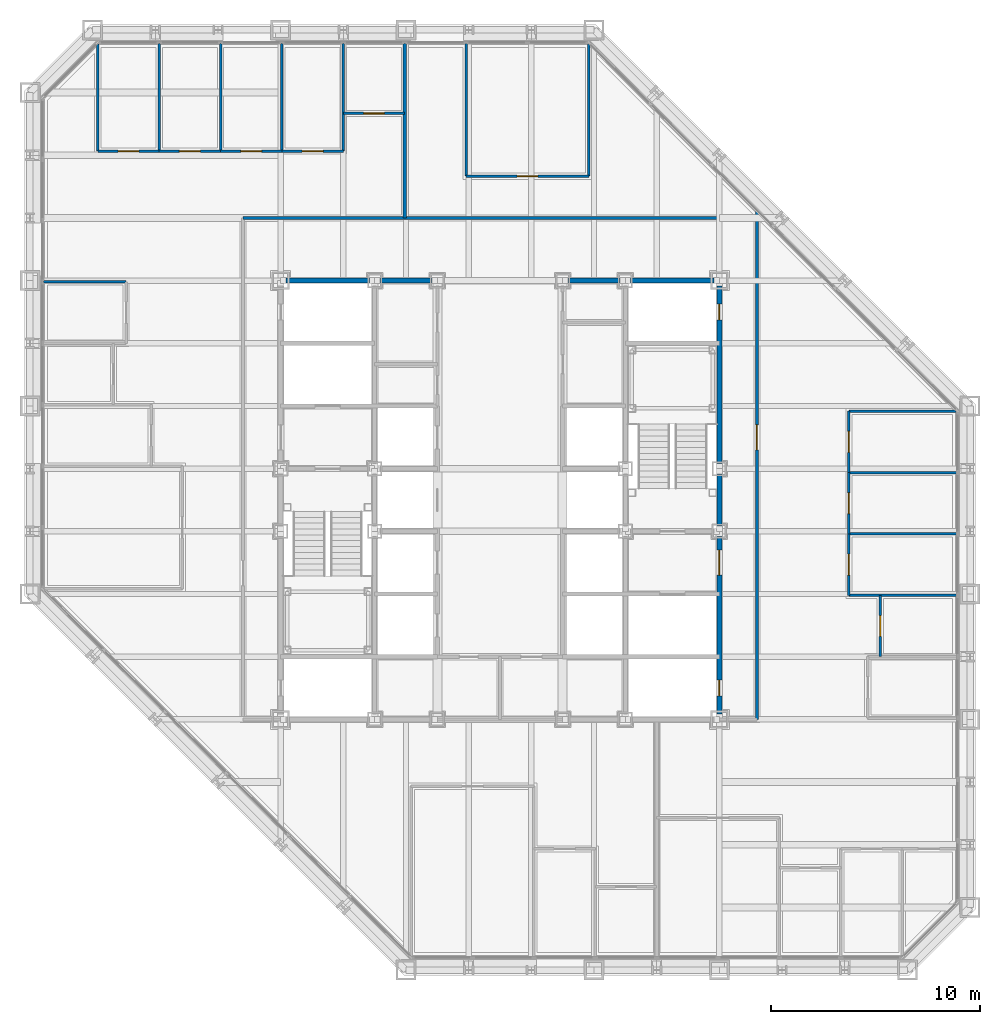
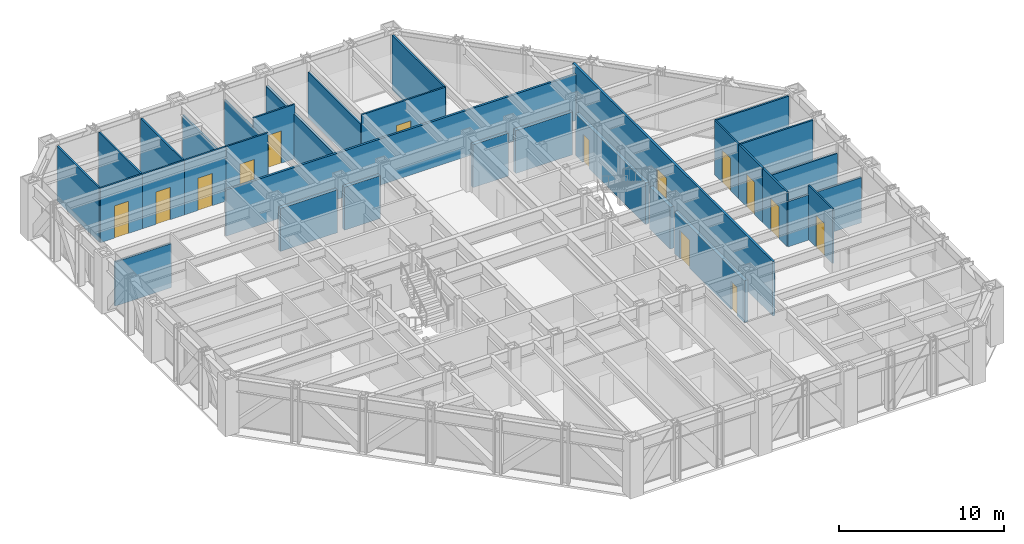
# One storey, part 12 of 16: 32 walls, 14 doors, 14 openings.
"""IFC4 building model written with IfcOpenShell, lengths in metres."""

from ifc_helpers import new_model, si_unit, direction, frame, frame_2d, origin, place, context, subcontext, project, spatial, rectangle, extrude, material, layer, layer_set, type_object, element, fill, save


model = new_model("IFC4")

# Units and contexts
model_context = context("Model", 3, precision=1e-05, world=origin(), true_north=direction((0.0, 1.0)))
body_context = subcontext(model_context, "Body", "Model", "MODEL_VIEW")
ifc_project = project(units=[si_unit("LENGTHUNIT", "METRE"), si_unit("AREAUNIT", "SQUARE_METRE"), si_unit("VOLUMEUNIT", "CUBIC_METRE"), si_unit("PLANEANGLEUNIT", "RADIAN"), si_unit("MASSUNIT", "GRAM", prefix="KILO")], contexts=[model_context])

# Site, building, storey
site_placement = place(None, origin())
site = spatial("IfcSite", under=ifc_project, at=site_placement, CompositionType="ELEMENT")
building_placement = place(site_placement, origin())
building = spatial("IfcBuilding", under=site, at=building_placement, Name="Chuquiago Exchange Tower", CompositionType="ELEMENT")
storey_placement = place(building_placement, frame((0.0, 0.0, 127.800048828125)))
storey = spatial("IfcBuildingStorey", under=building, at=storey_placement, Name="L27", CompositionType="ELEMENT", Elevation=127.800048828125)

# Walls
ifc_material_1 = material(Name="Concrete masonry, fully grouted", Category="masonry")
ifc_layer_1 = layer(ifc_material_1, 0.25)
ifc_layer_set_1 = layer_set([ifc_layer_1], Name="W1 core wall 250")
wall_type_1 = type_object("IfcWallType", Name="W1 core wall 250", PredefinedType="SOLIDWALL", material=ifc_layer_set_1)
wall_1_placement = place(storey_placement, frame((12.25, 33.0, 0.0), z_axis=(0.0, 0.0, 1.0), x_axis=(1.0, 0.0, 0.0)))
element("IfcWall", 1, at=wall_1_placement, inside=storey, type_object=wall_type_1, Name="CW-L27-11-0", PredefinedType="SOLIDWALL", context=body_context, shape_type="SweptSolid", body=[
    extrude(rectangle(XDim=4.0, YDim=0.25, at=frame_2d((2.0, 0.0))), origin(), (0.0, 0.0, 1.0), 3.181396484375),
])
for number, where, z_axis, x_axis, name in (
    (2, (16.75, 33.0, 0.0), (0.0, 0.0, 1.0), (1.0, 0.0, 0.0), "CW-L27-11-1"),
    (3, (25.75, 33.0, 0.0), (0.0, 0.0, 1.0), (1.0, 0.0, 0.0), "CW-L27-12-0"),
):
    element("IfcWall", number, at=place(storey_placement, frame(where, z_axis=z_axis, x_axis=x_axis)), inside=storey, type_object=wall_type_1, Name=name, PredefinedType="SOLIDWALL", context=body_context, shape_type="SweptSolid", body=[
        extrude(rectangle(XDim=2.5, YDim=0.25, at=frame_2d((1.25, 0.0))), origin(), (0.0, 0.0, 1.0), 3.181396484375),
    ])
wall_2_placement = place(storey_placement, frame((28.75, 33.0, 0.0), z_axis=(0.0, 0.0, 1.0), x_axis=(1.0, 0.0, 0.0)))
element("IfcWall", 4, at=wall_2_placement, inside=storey, type_object=wall_type_1, Name="CW-L27-12-1", PredefinedType="SOLIDWALL", context=body_context, shape_type="SweptSolid", body=[
    extrude(rectangle(XDim=4.0, YDim=0.25, at=frame_2d((2.0, 0.0))), origin(), (0.0, 0.0, 1.0), 3.181396484375),
])

# Wall, openings, doors
wall_3_placement = place(storey_placement, frame((33.0, 12.25, 0.0), z_axis=(0.0, 0.0, 1.0), x_axis=(0.0, 1.0, 0.0)))
wall_3 = element("IfcWall", 5, at=wall_3_placement, inside=storey, type_object=wall_type_1, Name="CW-L27-25-0", PredefinedType="SOLIDWALL", context=body_context, shape_type="SweptSolid", body=[
    extrude(rectangle(XDim=8.5, YDim=0.25, at=frame_2d((4.25, 0.0))), origin(), (0.0, 0.0, 1.0), 3.11279296875),
])
opening_1_placement = place(wall_3_placement, frame((6.64990234375, 0.0, 0.0)))
opening_1 = element("IfcOpeningElement", 6, at=opening_1_placement, cuts=wall_3, Name="Opening L27-004", PredefinedType="OPENING", context=body_context, shape_type="SweptSolid", body=[
    extrude(rectangle(XDim=1.199951171875, YDim=2.10009765625, at=frame_2d((0.60009765625, 1.050048828125))), frame((0.0, 0.135009765625, 0.0), z_axis=(0.0, -1.0, 0.0), x_axis=(1.0, 0.0, 0.0)), (0.0, 0.0, 1.0), 0.27001953125),
])
opening_2_placement = place(wall_3_placement, frame((0.875, 0.0, 0.0)))
opening_2 = element("IfcOpeningElement", 7, at=opening_2_placement, cuts=wall_3, Name="Opening L27-009", PredefinedType="OPENING", context=body_context, shape_type="SweptSolid", body=[
    extrude(rectangle(XDim=0.75, YDim=2.10009765625, at=frame_2d((0.375, 1.050048828125))), frame((0.0, 0.135009765625, 0.0), z_axis=(0.0, -1.0, 0.0), x_axis=(1.0, 0.0, 0.0)), (0.0, 0.0, 1.0), 0.27001953125),
])
ifc_material_2 = material(Name="Steel door, painted", Category="steel")
door_type_1 = type_object("IfcDoorType", Name="D5 firefighting lobby door 1200x2100", OperationType="SINGLE_SWING_LEFT", PredefinedType="DOOR", material=ifc_material_2)
door_1_placement = place(opening_1_placement, origin())
door_1 = element("IfcDoor", 8, at=door_1_placement, inside=storey, type_object=door_type_1, Name="Firefighting lobby 2 door", OperationType="SINGLE_SWING_RIGHT", OverallHeight=2.10009765625, OverallWidth=1.199951171875, PredefinedType="DOOR", context=body_context, shape_type="SweptSolid", body=[
    extrude(rectangle(XDim=1.199951171875, YDim=2.10009765625, at=frame_2d((0.60009765625, 1.050048828125))), frame((0.0, 0.02490234375, 0.0), z_axis=(0.0, -1.0, 0.0), x_axis=(1.0, 0.0, 0.0)), (0.0, 0.0, 1.0), 0.050048828125),
])
fill(opening_1, door_1)
ifc_material_3 = material(Name="Steel door, painted", Category="steel")
door_type_2 = type_object("IfcDoorType", Name="D6 riser access door 750x2100", OperationType="SINGLE_SWING_LEFT", PredefinedType="DOOR", material=ifc_material_3)
door_2_placement = place(opening_2_placement, origin())
door_2 = element("IfcDoor", 9, at=door_2_placement, inside=storey, type_object=door_type_2, Name="Riser RE1 door", OperationType="SINGLE_SWING_LEFT", OverallHeight=2.10009765625, OverallWidth=0.75, PredefinedType="DOOR", context=body_context, shape_type="SweptSolid", body=[
    extrude(rectangle(XDim=0.75, YDim=2.10009765625, at=frame_2d((0.375, 1.050048828125))), frame((0.0, 0.02490234375, 0.0), z_axis=(0.0, -1.0, 0.0), x_axis=(1.0, 0.0, 0.0)), (0.0, 0.0, 1.0), 0.050048828125),
])
fill(opening_2, door_2)

# Wall
wall_4_placement = place(storey_placement, frame((33.0, 21.25, 0.0), z_axis=(0.0, 0.0, 1.0), x_axis=(0.0, 1.0, 0.0)))
element("IfcWall", 10, at=wall_4_placement, inside=storey, type_object=wall_type_1, Name="CW-L27-25-1", PredefinedType="SOLIDWALL", context=body_context, shape_type="SweptSolid", body=[
    extrude(rectangle(XDim=2.5, YDim=0.25, at=frame_2d((1.25, 0.0))), origin(), (0.0, 0.0, 1.0), 3.11279296875),
])

# Wall, opening, door
wall_5_placement = place(storey_placement, frame((33.0, 24.25, 0.0), z_axis=(0.0, 0.0, 1.0), x_axis=(0.0, 1.0, 0.0)))
wall_5 = element("IfcWall", 11, at=wall_5_placement, inside=storey, type_object=wall_type_1, Name="CW-L27-25-2", PredefinedType="SOLIDWALL", context=body_context, shape_type="SweptSolid", body=[
    extrude(rectangle(XDim=8.5, YDim=0.25, at=frame_2d((4.25, 0.0))), origin(), (0.0, 0.0, 1.0), 3.11279296875),
])
opening_3_placement = place(wall_5_placement, frame((6.875, 0.0, 0.0)))
opening_3 = element("IfcOpeningElement", 12, at=opening_3_placement, cuts=wall_5, Name="Opening L27-010", PredefinedType="OPENING", context=body_context, shape_type="SweptSolid", body=[
    extrude(rectangle(XDim=0.75, YDim=2.10009765625, at=frame_2d((0.375, 1.050048828125))), frame((0.0, 0.135009765625, 0.0), z_axis=(0.0, -1.0, 0.0), x_axis=(1.0, 0.0, 0.0)), (0.0, 0.0, 1.0), 0.27001953125),
])
door_3_placement = place(opening_3_placement, origin())
door_3 = element("IfcDoor", 13, at=door_3_placement, inside=storey, type_object=door_type_2, Name="Riser RE2 door", OperationType="SINGLE_SWING_RIGHT", OverallHeight=2.10009765625, OverallWidth=0.75, PredefinedType="DOOR", context=body_context, shape_type="SweptSolid", body=[
    extrude(rectangle(XDim=0.75, YDim=2.10009765625, at=frame_2d((0.375, 1.050048828125))), frame((0.0, 0.02490234375, 0.0), z_axis=(0.0, -1.0, 0.0), x_axis=(1.0, 0.0, 0.0)), (0.0, 0.0, 1.0), 0.050048828125),
])
fill(opening_3, door_3)

# Wall
ifc_material_4 = material(Name="Gypsum board on steel studs, acoustic insulation", Category="steel")
ifc_layer_2 = layer(ifc_material_4, 0.14990234375)
ifc_layer_set_2 = layer_set([ifc_layer_2], Name="W11 corridor wall 150")
wall_type_2 = type_object("IfcWallType", Name="W11 corridor wall 150", PredefinedType="PARTITIONING", material=ifc_layer_set_2)
wall_6_placement = place(storey_placement, frame((10.199951171875, 36.0, 0.0), z_axis=(0.0, 0.0, 1.0), x_axis=(1.0, 0.0, 0.0)))
element("IfcWall", 14, at=wall_6_placement, inside=storey, type_object=wall_type_2, Name="PW-L27-CN", PredefinedType="PARTITIONING", context=body_context, shape_type="SweptSolid", body=[
    extrude(rectangle(XDim=24.91455078125, YDim=0.14990234375, at=frame_2d((12.457275390625, 0.0))), origin(), (0.0, 0.0, 1.0), 3.427734375),
])

# Wall, opening, door
wall_7_placement = place(storey_placement, frame((34.800048828125, 12.0, 0.0), z_axis=(0.0, 0.0, 1.0), x_axis=(0.0, 1.0, 0.0)))
wall_7 = element("IfcWall", 15, at=wall_7_placement, inside=storey, type_object=wall_type_2, Name="PW-L27-CE", PredefinedType="PARTITIONING", context=body_context, shape_type="SweptSolid", body=[
    extrude(rectangle(XDim=24.314453125, YDim=0.14990234375, at=frame_2d((12.1572265625, 0.0))), origin(), (0.0, 0.0, 1.0), 4.0400390625),
])
opening_4_placement = place(wall_7_placement, frame((12.89990234375, 0.0, 0.0)))
opening_4 = element("IfcOpeningElement", 16, at=opening_4_placement, cuts=wall_7, Name="Opening L27-044", PredefinedType="OPENING", context=body_context, shape_type="SweptSolid", body=[
    extrude(rectangle(XDim=1.199951171875, YDim=2.39990234375, at=frame_2d((0.60009765625, 1.199951171875))), frame((0.0, 0.0849609375, 0.0), z_axis=(0.0, -1.0, 0.0), x_axis=(1.0, 0.0, 0.0)), (0.0, 0.0, 1.0), 0.169921875),
])
ifc_material_5 = material(Name="Timber door, laminate faced", Category="wood")
door_type_3 = type_object("IfcDoorType", Name="D13 suite entrance door 1200x2400", OperationType="SINGLE_SWING_LEFT", PredefinedType="DOOR", material=ifc_material_5)
door_4_placement = place(opening_4_placement, frame((1.199951171875, 0.0, 0.0), z_axis=(0.0, 0.0, 1.0), x_axis=(-1.0, 0.0, 0.0)))
door_4 = element("IfcDoor", 17, at=door_4_placement, inside=storey, type_object=door_type_3, Name="East suite entrance door", OperationType="SINGLE_SWING_LEFT", OverallHeight=2.39990234375, OverallWidth=1.199951171875, PredefinedType="DOOR", context=body_context, shape_type="SweptSolid", body=[
    extrude(rectangle(XDim=1.199951171875, YDim=2.39990234375, at=frame_2d((0.60009765625, 1.199951171875))), frame((0.0, 0.02490234375, 0.0), z_axis=(0.0, -1.0, 0.0), x_axis=(1.0, 0.0, 0.0)), (0.0, 0.0, 1.0), 0.050048828125),
])
fill(opening_4, door_4)

# Walls
ifc_material_6 = material(Name="Gypsum board on twin steel studs, acoustic insulation", Category="steel")
ifc_layer_3 = layer(ifc_material_6, 0.175048828125)
ifc_layer_set_3 = layer_set([ifc_layer_3], Name="W12 tenant demising wall 175")
wall_type_3 = type_object("IfcWallType", Name="W12 tenant demising wall 175", PredefinedType="PARTITIONING", material=ifc_layer_set_3)
wall_8_placement = place(storey_placement, frame((17.93798828125, 44.347412109375, 0.0), z_axis=(0.0, 0.0, 1.0), x_axis=(0.0, -1.0, 0.0)))
element("IfcWall", 18, at=wall_8_placement, inside=storey, type_object=wall_type_3, Name="PW-L27-DN01794", PredefinedType="PARTITIONING", context=body_context, shape_type="SweptSolid", body=[
    extrude(rectangle(XDim=8.347412109375, YDim=0.175048828125, at=frame_2d((4.173828125, 0.0))), origin(), (0.0, 0.0, 1.0), 3.356689453125),
])
ifc_material_7 = material(Name="Gypsum board on steel studs", Category="steel")
ifc_layer_4 = layer(ifc_material_7, 0.1201171875)
ifc_layer_set_4 = layer_set([ifc_layer_4], Name="W4 partition 120")
wall_type_4 = type_object("IfcWallType", Name="W4 partition 120", PredefinedType="PARTITIONING", material=ifc_layer_set_4)
for number, where, z_axis, x_axis, name in (
    (19, (44.347412109375, 17.93798828125, 0.0), (0.0, 0.0, 1.0), (-1.0, 0.0, 0.0), "PW-L27-E01794"),
    (20, (44.347412109375, 20.875732421875, 0.0), (0.0, 0.0, 1.0), (-1.0, 0.0, 0.0), "PW-L27-E02088"),
):
    element("IfcWall", number, at=place(storey_placement, frame(where, z_axis=z_axis, x_axis=x_axis)), inside=storey, type_object=wall_type_4, Name=name, PredefinedType="PARTITIONING", context=body_context, shape_type="SweptSolid", body=[
        extrude(rectangle(XDim=5.1474609375, YDim=0.1201171875, at=frame_2d((2.57373046875, 0.0))), origin(), (0.0, 0.0, 1.0), 3.356689453125),
    ])
wall_9_placement = place(storey_placement, frame((44.347412109375, 23.813720703125, 0.0), z_axis=(0.0, 0.0, 1.0), x_axis=(-1.0, 0.0, 0.0)))
element("IfcWall", 21, at=wall_9_placement, inside=storey, type_object=wall_type_4, Name="PW-L27-E02381", PredefinedType="PARTITIONING", context=body_context, shape_type="SweptSolid", body=[
    extrude(rectangle(XDim=5.1474609375, YDim=0.1201171875, at=frame_2d((2.57373046875, 0.0))), origin(), (0.0, 0.0, 1.0), 4.0400390625),
])
wall_10_placement = place(storey_placement, frame((44.333984375, 26.75146484375, 0.0), z_axis=(0.0, 0.0, 1.0), x_axis=(-1.0, 0.0, 0.0)))
element("IfcWall", 22, at=wall_10_placement, inside=storey, type_object=wall_type_4, Name="PW-L27-E02675", PredefinedType="PARTITIONING", context=body_context, shape_type="SweptSolid", body=[
    extrude(rectangle(XDim=5.134033203125, YDim=0.1201171875, at=frame_2d((2.56689453125, 0.0))), origin(), (0.0, 0.0, 1.0), 4.0400390625),
])

# Wall, opening, door
wall_11_placement = place(storey_placement, frame((40.699951171875, 15.0, 0.0), z_axis=(0.0, 0.0, 1.0), x_axis=(0.0, 1.0, 0.0)))
wall_11 = element("IfcWall", 23, at=wall_11_placement, inside=storey, type_object=wall_type_4, Name="PW-L27-EF01500", PredefinedType="PARTITIONING", context=body_context, shape_type="SweptSolid", body=[
    extrude(rectangle(XDim=2.93798828125, YDim=0.1201171875, at=frame_2d((1.468994140625, 0.0))), origin(), (0.0, 0.0, 1.0), 4.0400390625),
])
opening_5_placement = place(wall_11_placement, frame((0.968994140625, 0.0, 0.0)))
opening_5 = element("IfcOpeningElement", 24, at=opening_5_placement, cuts=wall_11, Name="Opening L27-029", PredefinedType="OPENING", context=body_context, shape_type="SweptSolid", body=[
    extrude(rectangle(XDim=1.0, YDim=2.39990234375, at=frame_2d((0.5, 1.199951171875))), frame((0.0, 0.070068359375, 0.0), z_axis=(0.0, -1.0, 0.0), x_axis=(1.0, 0.0, 0.0)), (0.0, 0.0, 1.0), 0.14013671875),
])
ifc_material_8 = material(Name="Timber door, laminate faced", Category="wood")
door_type_4 = type_object("IfcDoorType", Name="D9 room door 1000x2400", OperationType="SINGLE_SWING_LEFT", PredefinedType="DOOR", material=ifc_material_8)
door_5_placement = place(opening_5_placement, frame((1.0, 0.0, 0.0), z_axis=(0.0, 0.0, 1.0), x_axis=(-1.0, 0.0, 0.0)))
door_5 = element("IfcDoor", 25, at=door_5_placement, inside=storey, type_object=door_type_4, Name="Store door", OperationType="SINGLE_SWING_RIGHT", OverallHeight=2.39990234375, OverallWidth=1.0, PredefinedType="DOOR", context=body_context, shape_type="SweptSolid", body=[
    extrude(rectangle(XDim=1.0, YDim=2.39990234375, at=frame_2d((0.5, 1.199951171875))), frame((0.0, 0.02490234375, 0.0), z_axis=(0.0, -1.0, 0.0), x_axis=(1.0, 0.0, 0.0)), (0.0, 0.0, 1.0), 0.050048828125),
])
fill(opening_5, door_5)

wall_12_placement = place(storey_placement, frame((39.199951171875, 17.93798828125, 0.0), z_axis=(0.0, 0.0, 1.0), x_axis=(0.0, 1.0, 0.0)))
wall_12 = element("IfcWall", 26, at=wall_12_placement, inside=storey, type_object=wall_type_4, Name="PW-L27-EF01794", PredefinedType="PARTITIONING", context=body_context, shape_type="SweptSolid", body=[
    extrude(rectangle(XDim=2.937744140625, YDim=0.1201171875, at=frame_2d((1.46875, 0.0))), origin(), (0.0, 0.0, 1.0), 4.0400390625),
])
opening_6_placement = place(wall_12_placement, frame((0.968994140625, 0.0, 0.0)))
opening_6 = element("IfcOpeningElement", 27, at=opening_6_placement, cuts=wall_12, Name="Opening L27-030", PredefinedType="OPENING", context=body_context, shape_type="SweptSolid", body=[
    extrude(rectangle(XDim=1.0, YDim=2.39990234375, at=frame_2d((0.5, 1.199951171875))), frame((0.0, 0.070068359375, 0.0), z_axis=(0.0, -1.0, 0.0), x_axis=(1.0, 0.0, 0.0)), (0.0, 0.0, 1.0), 0.14013671875),
])
door_6_placement = place(opening_6_placement, frame((1.0, 0.0, 0.0), z_axis=(0.0, 0.0, 1.0), x_axis=(-1.0, 0.0, 0.0)))
door_6 = element("IfcDoor", 28, at=door_6_placement, inside=storey, type_object=door_type_4, Name="Office door", OperationType="SINGLE_SWING_LEFT", OverallHeight=2.39990234375, OverallWidth=1.0, PredefinedType="DOOR", context=body_context, shape_type="SweptSolid", body=[
    extrude(rectangle(XDim=1.0, YDim=2.39990234375, at=frame_2d((0.5, 1.199951171875))), frame((0.0, 0.02490234375, 0.0), z_axis=(0.0, -1.0, 0.0), x_axis=(1.0, 0.0, 0.0)), (0.0, 0.0, 1.0), 0.050048828125),
])
fill(opening_6, door_6)

wall_13_placement = place(storey_placement, frame((39.199951171875, 20.875732421875, 0.0), z_axis=(0.0, 0.0, 1.0), x_axis=(0.0, 1.0, 0.0)))
wall_13 = element("IfcWall", 29, at=wall_13_placement, inside=storey, type_object=wall_type_4, Name="PW-L27-EF02088", PredefinedType="PARTITIONING", context=body_context, shape_type="SweptSolid", body=[
    extrude(rectangle(XDim=2.93798828125, YDim=0.1201171875, at=frame_2d((1.468994140625, 0.0))), origin(), (0.0, 0.0, 1.0), 4.0400390625),
])
opening_7_placement = place(wall_13_placement, frame((0.968994140625, 0.0, 0.0)))
opening_7 = element("IfcOpeningElement", 30, at=opening_7_placement, cuts=wall_13, Name="Opening L27-031", PredefinedType="OPENING", context=body_context, shape_type="SweptSolid", body=[
    extrude(rectangle(XDim=1.0, YDim=2.39990234375, at=frame_2d((0.5, 1.199951171875))), frame((0.0, 0.070068359375, 0.0), z_axis=(0.0, -1.0, 0.0), x_axis=(1.0, 0.0, 0.0)), (0.0, 0.0, 1.0), 0.14013671875),
])
door_7_placement = place(opening_7_placement, frame((1.0, 0.0, 0.0), z_axis=(0.0, 0.0, 1.0), x_axis=(-1.0, 0.0, 0.0)))
door_7 = element("IfcDoor", 31, at=door_7_placement, inside=storey, type_object=door_type_4, Name="Office door", OperationType="SINGLE_SWING_LEFT", OverallHeight=2.39990234375, OverallWidth=1.0, PredefinedType="DOOR", context=body_context, shape_type="SweptSolid", body=[
    extrude(rectangle(XDim=1.0, YDim=2.39990234375, at=frame_2d((0.5, 1.199951171875))), frame((0.0, 0.02490234375, 0.0), z_axis=(0.0, -1.0, 0.0), x_axis=(1.0, 0.0, 0.0)), (0.0, 0.0, 1.0), 0.050048828125),
])
fill(opening_7, door_7)

wall_14_placement = place(storey_placement, frame((39.199951171875, 23.813720703125, 0.0), z_axis=(0.0, 0.0, 1.0), x_axis=(0.0, 1.0, 0.0)))
wall_14 = element("IfcWall", 32, at=wall_14_placement, inside=storey, type_object=wall_type_4, Name="PW-L27-EF02381", PredefinedType="PARTITIONING", context=body_context, shape_type="SweptSolid", body=[
    extrude(rectangle(XDim=2.937744140625, YDim=0.1201171875, at=frame_2d((1.46875, 0.0))), origin(), (0.0, 0.0, 1.0), 4.0400390625),
])
opening_8_placement = place(wall_14_placement, frame((0.968994140625, 0.0, 0.0)))
opening_8 = element("IfcOpeningElement", 33, at=opening_8_placement, cuts=wall_14, Name="Opening L27-032", PredefinedType="OPENING", context=body_context, shape_type="SweptSolid", body=[
    extrude(rectangle(XDim=1.0, YDim=2.39990234375, at=frame_2d((0.5, 1.199951171875))), frame((0.0, 0.070068359375, 0.0), z_axis=(0.0, -1.0, 0.0), x_axis=(1.0, 0.0, 0.0)), (0.0, 0.0, 1.0), 0.14013671875),
])
door_8_placement = place(opening_8_placement, frame((1.0, 0.0, 0.0), z_axis=(0.0, 0.0, 1.0), x_axis=(-1.0, 0.0, 0.0)))
door_8 = element("IfcDoor", 34, at=door_8_placement, inside=storey, type_object=door_type_4, Name="Office door", OperationType="SINGLE_SWING_RIGHT", OverallHeight=2.39990234375, OverallWidth=1.0, PredefinedType="DOOR", context=body_context, shape_type="SweptSolid", body=[
    extrude(rectangle(XDim=1.0, YDim=2.39990234375, at=frame_2d((0.5, 1.199951171875))), frame((0.0, 0.02490234375, 0.0), z_axis=(0.0, -1.0, 0.0), x_axis=(1.0, 0.0, 0.0)), (0.0, 0.0, 1.0), 0.050048828125),
])
fill(opening_8, door_8)

# Walls
wall_15_placement = place(storey_placement, frame((3.24853515625, 44.333984375, 0.0), z_axis=(0.0, 0.0, 1.0), x_axis=(0.0, -1.0, 0.0)))
element("IfcWall", 35, at=wall_15_placement, inside=storey, type_object=wall_type_4, Name="PW-L27-N00325", PredefinedType="PARTITIONING", context=body_context, shape_type="SweptSolid", body=[
    extrude(rectangle(XDim=5.134033203125, YDim=0.1201171875, at=frame_2d((2.56689453125, 0.0))), origin(), (0.0, 0.0, 1.0), 4.0400390625),
])
for number, where, z_axis, x_axis, name in (
    (36, (6.186279296875, 44.347412109375, 0.0), (0.0, 0.0, 1.0), (0.0, -1.0, 0.0), "PW-L27-N00619"),
    (37, (9.124267578125, 44.347412109375, 0.0), (0.0, 0.0, 1.0), (0.0, -1.0, 0.0), "PW-L27-N00912"),
):
    element("IfcWall", number, at=place(storey_placement, frame(where, z_axis=z_axis, x_axis=x_axis)), inside=storey, type_object=wall_type_4, Name=name, PredefinedType="PARTITIONING", context=body_context, shape_type="SweptSolid", body=[
        extrude(rectangle(XDim=5.1474609375, YDim=0.1201171875, at=frame_2d((2.57373046875, 0.0))), origin(), (0.0, 0.0, 1.0), 4.0400390625),
    ])
wall_16_placement = place(storey_placement, frame((12.06201171875, 44.347412109375, 0.0), z_axis=(0.0, 0.0, 1.0), x_axis=(0.0, -1.0, 0.0)))
element("IfcWall", 38, at=wall_16_placement, inside=storey, type_object=wall_type_4, Name="PW-L27-N01206", PredefinedType="PARTITIONING", context=body_context, shape_type="SweptSolid", body=[
    extrude(rectangle(XDim=5.1474609375, YDim=0.1201171875, at=frame_2d((2.57373046875, 0.0))), origin(), (0.0, 0.0, 1.0), 3.270263671875),
])
wall_17_placement = place(storey_placement, frame((15.0, 44.347412109375, 0.0), z_axis=(0.0, 0.0, 1.0), x_axis=(0.0, -1.0, 0.0)))
element("IfcWall", 39, at=wall_17_placement, inside=storey, type_object=wall_type_4, Name="PW-L27-N01500", PredefinedType="PARTITIONING", context=body_context, shape_type="SweptSolid", body=[
    extrude(rectangle(XDim=5.1474609375, YDim=0.1201171875, at=frame_2d((2.57373046875, 0.0))), origin(), (0.0, 0.0, 1.0), 3.356689453125),
])
wall_18_placement = place(storey_placement, frame((20.875732421875, 44.347412109375, 0.0), z_axis=(0.0, 0.0, 1.0), x_axis=(0.0, -1.0, 0.0)))
element("IfcWall", 40, at=wall_18_placement, inside=storey, type_object=wall_type_4, Name="PW-L27-N02088", PredefinedType="PARTITIONING", context=body_context, shape_type="SweptSolid", body=[
    extrude(rectangle(XDim=6.347412109375, YDim=0.1201171875, at=frame_2d((3.173828125, 0.0))), origin(), (0.0, 0.0, 1.0), 3.356689453125),
])
wall_19_placement = place(storey_placement, frame((26.75146484375, 44.333984375, 0.0), z_axis=(0.0, 0.0, 1.0), x_axis=(0.0, -1.0, 0.0)))
element("IfcWall", 41, at=wall_19_placement, inside=storey, type_object=wall_type_4, Name="PW-L27-N02675", PredefinedType="PARTITIONING", context=body_context, shape_type="SweptSolid", body=[
    extrude(rectangle(XDim=6.333984375, YDim=0.1201171875, at=frame_2d((3.1669921875, 0.0))), origin(), (0.0, 0.0, 1.0), 4.0400390625),
])

# Wall, opening, door
wall_20_placement = place(storey_placement, frame((3.24853515625, 39.199951171875, 0.0), z_axis=(0.0, 0.0, 1.0), x_axis=(1.0, 0.0, 0.0)))
wall_20 = element("IfcWall", 42, at=wall_20_placement, inside=storey, type_object=wall_type_4, Name="PW-L27-NF00325", PredefinedType="PARTITIONING", context=body_context, shape_type="SweptSolid", body=[
    extrude(rectangle(XDim=2.937744140625, YDim=0.1201171875, at=frame_2d((1.46875, 0.0))), origin(), (0.0, 0.0, 1.0), 4.0400390625),
])
opening_9_placement = place(wall_20_placement, frame((0.968994140625, 0.0, 0.0)))
opening_9 = element("IfcOpeningElement", 43, at=opening_9_placement, cuts=wall_20, Name="Opening L27-033", PredefinedType="OPENING", context=body_context, shape_type="SweptSolid", body=[
    extrude(rectangle(XDim=1.0, YDim=2.39990234375, at=frame_2d((0.5, 1.199951171875))), frame((0.0, 0.070068359375, 0.0), z_axis=(0.0, -1.0, 0.0), x_axis=(1.0, 0.0, 0.0)), (0.0, 0.0, 1.0), 0.14013671875),
])
door_9_placement = place(opening_9_placement, origin())
door_9 = element("IfcDoor", 44, at=door_9_placement, inside=storey, type_object=door_type_4, Name="Office door", OperationType="SINGLE_SWING_LEFT", OverallHeight=2.39990234375, OverallWidth=1.0, PredefinedType="DOOR", context=body_context, shape_type="SweptSolid", body=[
    extrude(rectangle(XDim=1.0, YDim=2.39990234375, at=frame_2d((0.5, 1.199951171875))), frame((0.0, 0.02490234375, 0.0), z_axis=(0.0, -1.0, 0.0), x_axis=(1.0, 0.0, 0.0)), (0.0, 0.0, 1.0), 0.050048828125),
])
fill(opening_9, door_9)

wall_21_placement = place(storey_placement, frame((6.186279296875, 39.199951171875, 0.0), z_axis=(0.0, 0.0, 1.0), x_axis=(1.0, 0.0, 0.0)))
wall_21 = element("IfcWall", 45, at=wall_21_placement, inside=storey, type_object=wall_type_4, Name="PW-L27-NF00619", PredefinedType="PARTITIONING", context=body_context, shape_type="SweptSolid", body=[
    extrude(rectangle(XDim=2.93798828125, YDim=0.1201171875, at=frame_2d((1.468994140625, 0.0))), origin(), (0.0, 0.0, 1.0), 4.0400390625),
])
opening_10_placement = place(wall_21_placement, frame((0.968994140625, 0.0, 0.0)))
opening_10 = element("IfcOpeningElement", 46, at=opening_10_placement, cuts=wall_21, Name="Opening L27-034", PredefinedType="OPENING", context=body_context, shape_type="SweptSolid", body=[
    extrude(rectangle(XDim=1.0, YDim=2.39990234375, at=frame_2d((0.5, 1.199951171875))), frame((0.0, 0.070068359375, 0.0), z_axis=(0.0, -1.0, 0.0), x_axis=(1.0, 0.0, 0.0)), (0.0, 0.0, 1.0), 0.14013671875),
])
door_10_placement = place(opening_10_placement, origin())
door_10 = element("IfcDoor", 47, at=door_10_placement, inside=storey, type_object=door_type_4, Name="Office door", OperationType="SINGLE_SWING_LEFT", OverallHeight=2.39990234375, OverallWidth=1.0, PredefinedType="DOOR", context=body_context, shape_type="SweptSolid", body=[
    extrude(rectangle(XDim=1.0, YDim=2.39990234375, at=frame_2d((0.5, 1.199951171875))), frame((0.0, 0.02490234375, 0.0), z_axis=(0.0, -1.0, 0.0), x_axis=(1.0, 0.0, 0.0)), (0.0, 0.0, 1.0), 0.050048828125),
])
fill(opening_10, door_10)

wall_22_placement = place(storey_placement, frame((9.124267578125, 39.199951171875, 0.0), z_axis=(0.0, 0.0, 1.0), x_axis=(1.0, 0.0, 0.0)))
wall_22 = element("IfcWall", 48, at=wall_22_placement, inside=storey, type_object=wall_type_4, Name="PW-L27-NF00912", PredefinedType="PARTITIONING", context=body_context, shape_type="SweptSolid", body=[
    extrude(rectangle(XDim=2.937744140625, YDim=0.1201171875, at=frame_2d((1.46875, 0.0))), origin(), (0.0, 0.0, 1.0), 4.0400390625),
])
opening_11_placement = place(wall_22_placement, frame((0.968994140625, 0.0, 0.0)))
opening_11 = element("IfcOpeningElement", 49, at=opening_11_placement, cuts=wall_22, Name="Opening L27-035", PredefinedType="OPENING", context=body_context, shape_type="SweptSolid", body=[
    extrude(rectangle(XDim=1.0, YDim=2.39990234375, at=frame_2d((0.5, 1.199951171875))), frame((0.0, 0.070068359375, 0.0), z_axis=(0.0, -1.0, 0.0), x_axis=(1.0, 0.0, 0.0)), (0.0, 0.0, 1.0), 0.14013671875),
])
door_11_placement = place(opening_11_placement, origin())
door_11 = element("IfcDoor", 50, at=door_11_placement, inside=storey, type_object=door_type_4, Name="Office door", OperationType="SINGLE_SWING_RIGHT", OverallHeight=2.39990234375, OverallWidth=1.0, PredefinedType="DOOR", context=body_context, shape_type="SweptSolid", body=[
    extrude(rectangle(XDim=1.0, YDim=2.39990234375, at=frame_2d((0.5, 1.199951171875))), frame((0.0, 0.02490234375, 0.0), z_axis=(0.0, -1.0, 0.0), x_axis=(1.0, 0.0, 0.0)), (0.0, 0.0, 1.0), 0.050048828125),
])
fill(opening_11, door_11)

wall_23_placement = place(storey_placement, frame((12.06201171875, 39.199951171875, 0.0), z_axis=(0.0, 0.0, 1.0), x_axis=(1.0, 0.0, 0.0)))
wall_23 = element("IfcWall", 51, at=wall_23_placement, inside=storey, type_object=wall_type_4, Name="PW-L27-NF01206", PredefinedType="PARTITIONING", context=body_context, shape_type="SweptSolid", body=[
    extrude(rectangle(XDim=2.93798828125, YDim=0.1201171875, at=frame_2d((1.468994140625, 0.0))), origin(), (0.0, 0.0, 1.0), 4.0400390625),
])
opening_12_placement = place(wall_23_placement, frame((0.968994140625, 0.0, 0.0)))
opening_12 = element("IfcOpeningElement", 52, at=opening_12_placement, cuts=wall_23, Name="Opening L27-036", PredefinedType="OPENING", context=body_context, shape_type="SweptSolid", body=[
    extrude(rectangle(XDim=1.0, YDim=2.39990234375, at=frame_2d((0.5, 1.199951171875))), frame((0.0, 0.070068359375, 0.0), z_axis=(0.0, -1.0, 0.0), x_axis=(1.0, 0.0, 0.0)), (0.0, 0.0, 1.0), 0.14013671875),
])
ifc_material_9 = material(Name="Timber frame door, full height glazed panel", Category="wood")
door_type_5 = type_object("IfcDoorType", Name="D14 glazed meeting room door 1000x2400", OperationType="SINGLE_SWING_LEFT", PredefinedType="DOOR", material=ifc_material_9)
door_12_placement = place(opening_12_placement, origin())
door_12 = element("IfcDoor", 53, at=door_12_placement, inside=storey, type_object=door_type_5, Name="Meeting room door", OperationType="SINGLE_SWING_RIGHT", OverallHeight=2.39990234375, OverallWidth=1.0, PredefinedType="DOOR", context=body_context, shape_type="SweptSolid", body=[
    extrude(rectangle(XDim=1.0, YDim=2.39990234375, at=frame_2d((0.5, 1.199951171875))), frame((0.0, 0.02490234375, 0.0), z_axis=(0.0, -1.0, 0.0), x_axis=(1.0, 0.0, 0.0)), (0.0, 0.0, 1.0), 0.050048828125),
])
fill(opening_12, door_12)

wall_24_placement = place(storey_placement, frame((15.0, 41.0, 0.0), z_axis=(0.0, 0.0, 1.0), x_axis=(1.0, 0.0, 0.0)))
wall_24 = element("IfcWall", 54, at=wall_24_placement, inside=storey, type_object=wall_type_4, Name="PW-L27-NF01500", PredefinedType="PARTITIONING", context=body_context, shape_type="SweptSolid", body=[
    extrude(rectangle(XDim=2.93798828125, YDim=0.1201171875, at=frame_2d((1.468994140625, 0.0))), origin(), (0.0, 0.0, 1.0), 4.0400390625),
])
opening_13_placement = place(wall_24_placement, frame((0.968994140625, 0.0, 0.0)))
opening_13 = element("IfcOpeningElement", 55, at=opening_13_placement, cuts=wall_24, Name="Opening L27-037", PredefinedType="OPENING", context=body_context, shape_type="SweptSolid", body=[
    extrude(rectangle(XDim=1.0, YDim=2.39990234375, at=frame_2d((0.5, 1.199951171875))), frame((0.0, 0.070068359375, 0.0), z_axis=(0.0, -1.0, 0.0), x_axis=(1.0, 0.0, 0.0)), (0.0, 0.0, 1.0), 0.14013671875),
])
door_13_placement = place(opening_13_placement, origin())
door_13 = element("IfcDoor", 56, at=door_13_placement, inside=storey, type_object=door_type_5, Name="Focus room door", OperationType="SINGLE_SWING_RIGHT", OverallHeight=2.39990234375, OverallWidth=1.0, PredefinedType="DOOR", context=body_context, shape_type="SweptSolid", body=[
    extrude(rectangle(XDim=1.0, YDim=2.39990234375, at=frame_2d((0.5, 1.199951171875))), frame((0.0, 0.02490234375, 0.0), z_axis=(0.0, -1.0, 0.0), x_axis=(1.0, 0.0, 0.0)), (0.0, 0.0, 1.0), 0.050048828125),
])
fill(opening_13, door_13)

wall_25_placement = place(storey_placement, frame((20.875732421875, 38.0, 0.0), z_axis=(0.0, 0.0, 1.0), x_axis=(1.0, 0.0, 0.0)))
wall_25 = element("IfcWall", 57, at=wall_25_placement, inside=storey, type_object=wall_type_4, Name="PW-L27-NF02088", PredefinedType="PARTITIONING", context=body_context, shape_type="SweptSolid", body=[
    extrude(rectangle(XDim=5.875732421875, YDim=0.1201171875, at=frame_2d((2.93798828125, 0.0))), origin(), (0.0, 0.0, 1.0), 4.0400390625),
])
opening_14_placement = place(wall_25_placement, frame((2.43798828125, 0.0, 0.0)))
opening_14 = element("IfcOpeningElement", 58, at=opening_14_placement, cuts=wall_25, Name="Opening L27-038", PredefinedType="OPENING", context=body_context, shape_type="SweptSolid", body=[
    extrude(rectangle(XDim=1.0, YDim=2.39990234375, at=frame_2d((0.5, 1.199951171875))), frame((0.0, 0.070068359375, 0.0), z_axis=(0.0, -1.0, 0.0), x_axis=(1.0, 0.0, 0.0)), (0.0, 0.0, 1.0), 0.14013671875),
])
door_14_placement = place(opening_14_placement, origin())
door_14 = element("IfcDoor", 59, at=door_14_placement, inside=storey, type_object=door_type_4, Name="Risk management office door", OperationType="SINGLE_SWING_LEFT", OverallHeight=2.39990234375, OverallWidth=1.0, PredefinedType="DOOR", context=body_context, shape_type="SweptSolid", body=[
    extrude(rectangle(XDim=1.0, YDim=2.39990234375, at=frame_2d((0.5, 1.199951171875))), frame((0.0, 0.02490234375, 0.0), z_axis=(0.0, -1.0, 0.0), x_axis=(1.0, 0.0, 0.0)), (0.0, 0.0, 1.0), 0.050048828125),
])
fill(opening_14, door_14)

# Wall
wall_26_placement = place(storey_placement, frame((0.652587890625, 32.93798828125, 0.0), z_axis=(0.0, 0.0, 1.0), x_axis=(1.0, 0.0, 0.0)))
element("IfcWall", 60, at=wall_26_placement, inside=storey, type_object=wall_type_4, Name="PW-L27-W03294", PredefinedType="PARTITIONING", context=body_context, shape_type="SweptSolid", body=[
    extrude(rectangle(XDim=3.947509765625, YDim=0.1201171875, at=frame_2d((1.9736328125, 0.0))), origin(), (0.0, 0.0, 1.0), 3.270263671875),
])

save(model, "model.ifc")
